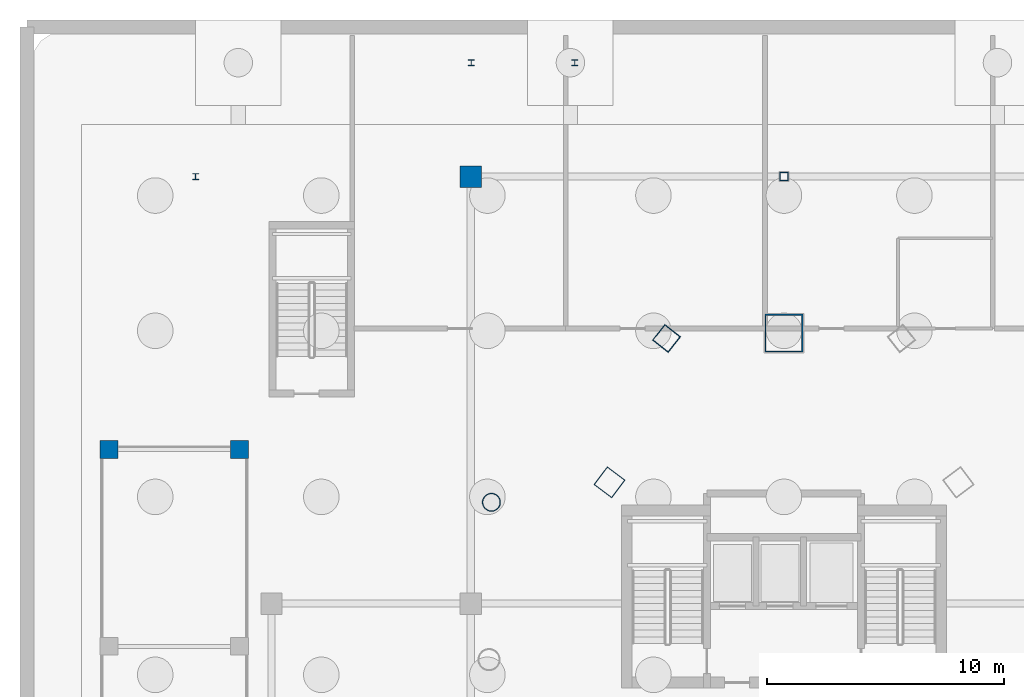
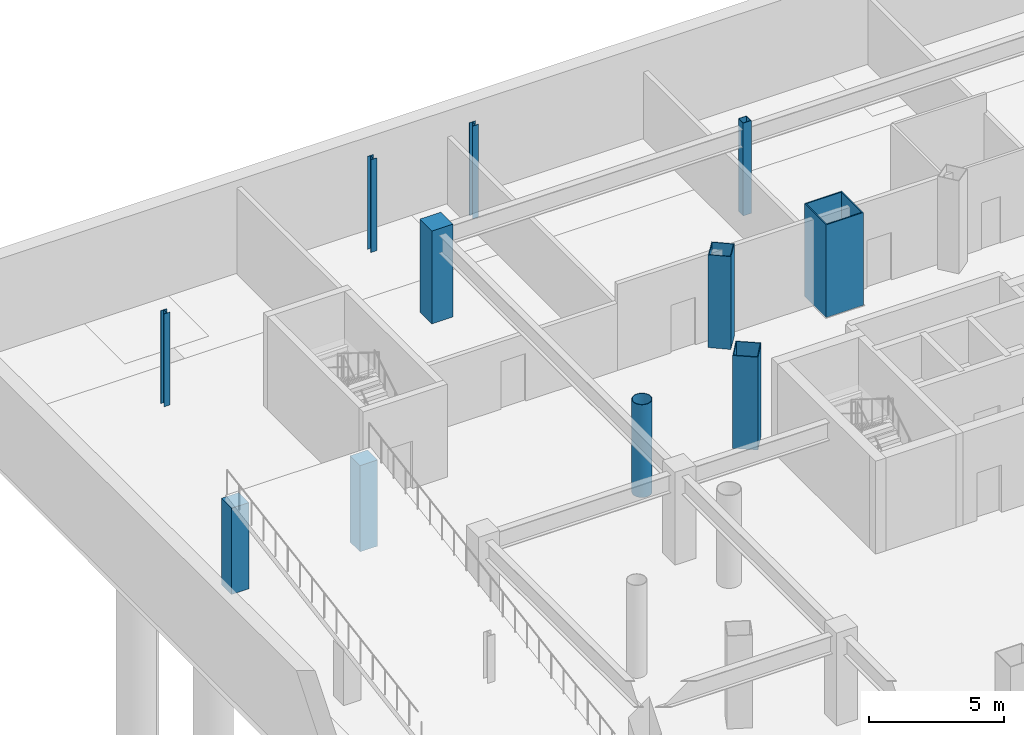
# One storey, part 4 of 12: 11 columns.
"""IFC4 building model written with IfcOpenShell, lengths in metres."""

from ifc_helpers import new_model, si_unit, direction, frame, origin, origin_2d, place, context, subcontext, project, spatial, rectangle, hollow_rectangle, hollow_circle, i_section, extrude, material, material_profile, profile_set, type_object, element, save


model = new_model("IFC4")

# Units and contexts
model_context = context("Model", 3, precision=1e-05, world=origin(), true_north=direction((0.0, 1.0)))
body_context = subcontext(model_context, "Body", "Model", "MODEL_VIEW")
ifc_project = project(units=[si_unit("LENGTHUNIT", "METRE"), si_unit("AREAUNIT", "SQUARE_METRE"), si_unit("VOLUMEUNIT", "CUBIC_METRE"), si_unit("PLANEANGLEUNIT", "RADIAN"), si_unit("MASSUNIT", "GRAM", prefix="KILO")], contexts=[model_context])

# Site, building, storey
site_placement = place(None, origin())
site = spatial("IfcSite", under=ifc_project, at=site_placement, CompositionType="ELEMENT")
building_placement = place(site_placement, origin())
building = spatial("IfcBuilding", under=site, at=building_placement, Name="Orvanel Arch Residences", CompositionType="ELEMENT")
storey_placement = place(building_placement, frame((0.0, 0.0, -8.39990234375)))
storey = spatial("IfcBuildingStorey", under=building, at=storey_placement, Name="B02", CompositionType="ELEMENT", Elevation=-8.39990234375)

# Columns
ifc_material_1 = material(Name="Structural steel AS/NZS 1163 C450L0 (Grade 450)", Category="steel")
ifc_material_profile_1 = material_profile(ifc_material_1, hollow_circle(Radius=0.381103515625, WallThickness=0.02197265625, at=origin_2d()), Name="CHS762x22")
ifc_profile_set_1 = profile_set([ifc_material_profile_1], Name="Structural steel AS/NZS 1163 C450L0 (Grade 450)")
column_type_1 = type_object("IfcColumnType", Name="CC-762", PredefinedType="COLUMN", material=ifc_profile_set_1)
column_1_placement = place(storey_placement, frame((20.669921875, 34.27099609375, 0.0), z_axis=(0.0, 0.0, 1.0), x_axis=(1.0, 0.0, 0.0)))
element("IfcColumn", 1, at=column_1_placement, inside=storey, type_object=column_type_1, Name="B02 Low-Rise Buttress Tube Column 01", PredefinedType="COLUMN", context=body_context, shape_type="SweptSolid", body=[
    extrude(hollow_circle(Radius=0.381103515625, WallThickness=0.02197265625, at=origin_2d()), origin(), (0.0, 0.0, 1.0), 4.199951171875),
])
ifc_material_2 = material(Name="Structural steel AS/NZS 3678 Grade 450", Category="steel")
ifc_material_profile_2 = material_profile(ifc_material_2, hollow_rectangle(XDim=1.60009765625, YDim=1.60009765625, WallThickness=0.050048828125, at=origin_2d()), Name="BOX1600x1600x50")
ifc_profile_set_2 = profile_set([ifc_material_profile_2], Name="Structural steel AS/NZS 3678 Grade 450")
column_type_2 = type_object("IfcColumnType", Name="MC-1600", PredefinedType="COLUMN", material=ifc_profile_set_2)
column_2_placement = place(storey_placement, frame((33.0, 41.39794921875, 0.0), z_axis=(0.0, 0.0, 1.0), x_axis=(1.0, 0.0, 0.0)))
element("IfcColumn", 2, at=column_2_placement, inside=storey, type_object=column_type_2, Name="B02 Corner Composite Mega-Column 1", PredefinedType="COLUMN", context=body_context, shape_type="SweptSolid", body=[
    extrude(hollow_rectangle(XDim=1.60009765625, YDim=1.60009765625, WallThickness=0.050048828125, at=origin_2d()), origin(), (0.0, 0.0, 1.0), 4.199951171875),
])
ifc_material_3 = material(Name="Structural steel AS/NZS 1163 C350L0 (Grade 350)", Category="steel")
ifc_material_profile_3 = material_profile(ifc_material_3, hollow_rectangle(XDim=0.35009765625, YDim=0.35009765625, WallThickness=0.01611328125, at=origin_2d()), Name="SHS350x350x16")
ifc_profile_set_3 = profile_set([ifc_material_profile_3], Name="Structural steel AS/NZS 1163 C350L0 (Grade 350)")
column_type_3 = type_object("IfcColumnType", Name="OC-350SHS", PredefinedType="COLUMN", material=ifc_profile_set_3)
column_3_placement = place(storey_placement, frame((33.0, 48.0, 0.0), z_axis=(0.0, 0.0, 1.0), x_axis=(1.0, 0.0, 0.0)))
element("IfcColumn", 3, at=column_3_placement, inside=storey, type_object=column_type_3, Name="B02 Auxiliary Podium Column 07", PredefinedType="COLUMN", context=body_context, shape_type="SweptSolid", body=[
    extrude(hollow_rectangle(XDim=0.35009765625, YDim=0.35009765625, WallThickness=0.01611328125, at=origin_2d()), origin(), (0.0, 0.0, 1.0), 4.199951171875),
])
ifc_material_4 = material(Name="Concrete S65 (65 MPa)", Category="concrete")
ifc_material_profile_4 = material_profile(ifc_material_4, rectangle(XDim=0.75, YDim=0.75, at=origin_2d()), Name="RC750x750")
ifc_profile_set_4 = profile_set([ifc_material_profile_4], Name="Concrete S65 (65 MPa)")
column_type_4 = type_object("IfcColumnType", Name="PC-750", PredefinedType="COLUMN", material=ifc_profile_set_4)
for number, where, z_axis, x_axis, name in (
    (4, (4.550048828125, 36.5, 0.0), (0.0, 0.0, 1.0), (1.0, 0.0, 0.0), "B02 Ramp Support Pier"),
    (5, (10.050048828125, 36.5, 0.0), (0.0, 0.0, 1.0), (1.0, 0.0, 0.0), "B02 Ramp Support Pier"),
):
    element("IfcColumn", number, at=place(storey_placement, frame(where, z_axis=z_axis, x_axis=x_axis)), inside=storey, type_object=column_type_4, Name=name, PredefinedType="COLUMN", context=body_context, shape_type="SweptSolid", body=[
        extrude(rectangle(XDim=0.75, YDim=0.75, at=origin_2d()), origin(), (0.0, 0.0, 1.0), 3.89990234375),
    ])
ifc_material_profile_5 = material_profile(ifc_material_4, rectangle(XDim=0.89990234375, YDim=0.89990234375, at=origin_2d()), Name="RC900x900")
ifc_profile_set_5 = profile_set([ifc_material_profile_5], Name="Concrete S65 (65 MPa)")
column_type_5 = type_object("IfcColumnType", Name="PC-900", PredefinedType="COLUMN", material=ifc_profile_set_5)
column_4_placement = place(storey_placement, frame((19.800048828125, 48.0, 0.0), z_axis=(0.0, 0.0, 1.0), x_axis=(1.0, 0.0, 0.0)))
element("IfcColumn", 6, at=column_4_placement, inside=storey, type_object=column_type_5, Name="B02 Podium Grid Column 07", PredefinedType="COLUMN", context=body_context, shape_type="SweptSolid", body=[
    extrude(rectangle(XDim=0.89990234375, YDim=0.89990234375, at=origin_2d()), origin(), (0.0, 0.0, 1.0), 4.199951171875),
])
ifc_material_5 = material(Name="Structural steel AS/NZS 3679.1 Grade 300 (300 MPa)", Category="steel")
ifc_material_profile_6 = material_profile(ifc_material_5, i_section(OverallWidth=0.256103515625, OverallDepth=0.260009765625, WebThickness=0.010498046875, FlangeThickness=0.017333984375, at=origin_2d()), Name="250UC89.5")
ifc_profile_set_6 = profile_set([ifc_material_profile_6], Name="Structural steel AS/NZS 3679.1 Grade 300 (300 MPa)")
column_type_6 = type_object("IfcColumnType", Name="SC-250UC", PredefinedType="COLUMN", material=ifc_profile_set_6)
for number, where, z_axis, x_axis, name in (
    (7, (8.199951171875, 48.0, 0.0), (0.0, 0.0, 1.0), (1.0, 0.0, 0.0), "B02 Auxiliary Podium Column 05"),
    (8, (19.820068359375, 52.800048828125, 0.0), (0.0, 0.0, 1.0), (1.0, 0.0, 0.0), "B02 Canopy Rear Support Column 05.1"),
    (9, (24.179931640625, 52.800048828125, 0.0), (0.0, 0.0, 1.0), (1.0, 0.0, 0.0), "B02 Canopy Rear Support Column 05.2"),
):
    element("IfcColumn", number, at=place(storey_placement, frame(where, z_axis=z_axis, x_axis=x_axis)), inside=storey, type_object=column_type_6, Name=name, PredefinedType="COLUMN", context=body_context, shape_type="SweptSolid", body=[
        extrude(i_section(OverallWidth=0.256103515625, OverallDepth=0.260009765625, WebThickness=0.010498046875, FlangeThickness=0.017333984375, at=origin_2d()), origin(), (0.0, 0.0, 1.0), 4.199951171875),
    ])
ifc_material_6 = material(Name="Structural steel AS/NZS 3678 Grade 350", Category="steel")
ifc_material_profile_7 = material_profile(ifc_material_6, hollow_rectangle(XDim=0.85009765625, YDim=0.85009765625, WallThickness=0.028076171875, at=origin_2d()), Name="BOX850x850x28")
ifc_profile_set_7 = profile_set([ifc_material_profile_7], Name="Structural steel AS/NZS 3678 Grade 350")
column_type_7 = type_object("IfcColumnType", Name="TC-850", PredefinedType="COLUMN", material=ifc_profile_set_7)
column_5_placement = place(storey_placement, frame((28.050048828125, 41.177978515625, 0.0), z_axis=(0.0, 0.0, 1.0), x_axis=(0.623879596709, 0.781520472419, 0.0)))
element("IfcColumn", 10, at=column_5_placement, inside=storey, type_object=column_type_7, Name="B02 Mid-Rise Buttress Tube Column 01", PredefinedType="COLUMN", context=body_context, shape_type="SweptSolid", body=[
    extrude(hollow_rectangle(XDim=0.85009765625, YDim=0.85009765625, WallThickness=0.028076171875, at=origin_2d()), origin(), (0.0, 0.0, 1.0), 4.199951171875),
])
ifc_material_profile_8 = material_profile(ifc_material_6, hollow_rectangle(XDim=0.949951171875, YDim=0.949951171875, WallThickness=0.031982421875, at=origin_2d()), Name="BOX950x950x32")
ifc_profile_set_8 = profile_set([ifc_material_profile_8], Name="Structural steel AS/NZS 3678 Grade 350")
column_type_8 = type_object("IfcColumnType", Name="TC-950", PredefinedType="COLUMN", material=ifc_profile_set_8)
column_6_placement = place(storey_placement, frame((25.64794921875, 35.113037109375, 0.0), z_axis=(0.0, 0.0, 1.0), x_axis=(0.600420225326, 0.799684658487, 0.0)))
element("IfcColumn", 11, at=column_6_placement, inside=storey, type_object=column_type_8, Name="B02 High-Rise Tube Column 01", PredefinedType="COLUMN", context=body_context, shape_type="SweptSolid", body=[
    extrude(hollow_rectangle(XDim=0.949951171875, YDim=0.949951171875, WallThickness=0.031982421875, at=origin_2d()), origin(), (0.0, 0.0, 1.0), 4.199951171875),
])

save(model, "model.ifc")
